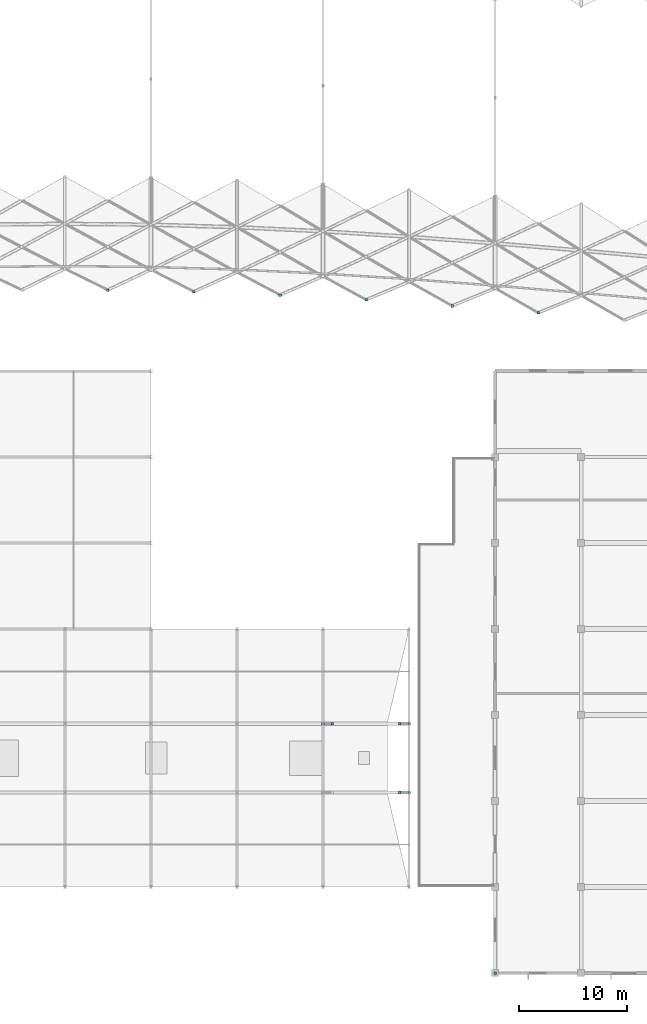
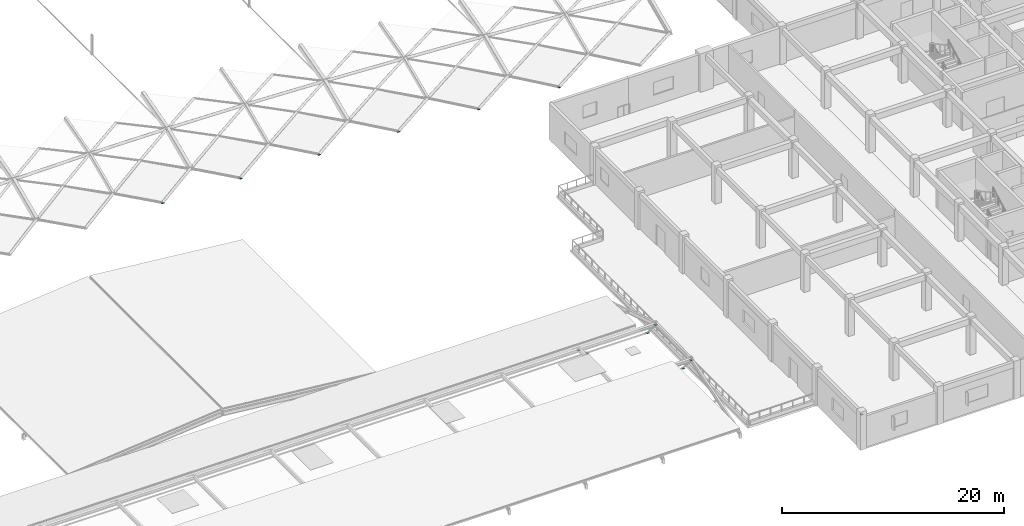
# One storey, part 44 of 54: 13 discrete accessories.
"""IFC4 building model written with IfcOpenShell, lengths in metres."""

from ifc_helpers import new_model, si_unit, direction, frame, origin, origin_2d, place, context, subcontext, project, spatial, rectangle, extrude, material, type_object, element, save


model = new_model("IFC4")

# Units and contexts
model_context = context("Model", 3, precision=1e-05, world=origin(), true_north=direction((0.0, 1.0)))
body_context = subcontext(model_context, "Body", "Model", "MODEL_VIEW")
ifc_project = project(units=[si_unit("LENGTHUNIT", "METRE"), si_unit("AREAUNIT", "SQUARE_METRE"), si_unit("VOLUMEUNIT", "CUBIC_METRE"), si_unit("PLANEANGLEUNIT", "RADIAN"), si_unit("MASSUNIT", "GRAM", prefix="KILO")], contexts=[model_context])

# Site, building, storey
site_placement = place(None, origin())
site = spatial("IfcSite", under=ifc_project, at=site_placement, CompositionType="ELEMENT")
building_placement = place(site_placement, origin())
building = spatial("IfcBuilding", under=site, at=building_placement, Name="Kenh Van Central Station", CompositionType="ELEMENT")
storey_placement = place(building_placement, frame((0.0, 0.0, 15.0)))
storey = spatial("IfcBuildingStorey", under=building, at=storey_placement, Name="L03", CompositionType="ELEMENT", Elevation=15.0)

# Discrete accessories
ifc_material_1 = material(Name="Structural steel S355JR", Category="steel")
discrete_accessory_type_1 = type_object("IfcDiscreteAccessoryType", Name="ACC-END-NODE", PredefinedType="BRACKET", material=ifc_material_1)
for number, where, z_axis, x_axis, name in (
    (1, (119.14990234375, 24.800048828125, 1.665771484375), (0.0, 0.0, 1.0), (1.0, 0.0, 0.0), "L03 brace end connection node plate 0325"),
    (2, (120.0, 24.800048828125, 2.285888671875), (0.0, 0.0, 1.0), (1.0, 0.0, 0.0), "L03 brace end connection node plate 0331"),
    (3, (119.14990234375, 31.199951171875, 1.665771484375), (0.0, 0.0, 1.0), (1.0, 0.0, 0.0), "L03 brace end connection node plate 0333"),
    (4, (112.85009765625, 31.199951171875, 1.665771484375), (0.0, 0.0, 1.0), (1.0, 0.0, 0.0), "L03 brace end connection node plate 0337"),
    (5, (112.0, 31.199951171875, 2.285888671875), (0.0, 0.0, 1.0), (1.0, 0.0, 0.0), "L03 brace end connection node plate 0338"),
    (6, (120.0, 31.199951171875, 2.285888671875), (0.0, 0.0, 1.0), (1.0, 0.0, 0.0), "L03 brace end connection node plate 0339"),
    (7, (128.0, 8.0, 3.684326171875), (0.0, 0.0, 1.0), (1.0, 0.0, 0.0), "L03 brace end connection node plate 0397"),
):
    element("IfcDiscreteAccessory", number, at=place(storey_placement, frame(where, z_axis=z_axis, x_axis=x_axis)), inside=storey, type_object=discrete_accessory_type_1, Name=name, PredefinedType="BRACKET", context=body_context, shape_type="SweptSolid", body=[
        extrude(rectangle(XDim=0.239990234375, YDim=0.239990234375, at=origin_2d()), origin(), (0.0, 0.0, 1.0), 0.02490234375),
    ])
ifc_material_2 = material(Name="White fluoropolymer structural steel S355", Category="steel")
discrete_accessory_type_2 = type_object("IfcDiscreteAccessoryType", Name="ACC-END-NODE-VLT", PredefinedType="BRACKET", material=ifc_material_2)
for number, where, z_axis, x_axis, name in (
    (8, (92.0, 71.50390625, 1.0029296875), (0.0, 0.0, 1.0), (1.0, 0.0, 0.0), "L03 brace end connection node plate 0157"),
    (9, (100.0, 71.344482421875, 1.0029296875), (0.0, 0.0, 1.0), (1.0, 0.0, 0.0), "L03 brace end connection node plate 0178"),
    (10, (108.0, 71.03369140625, 1.0029296875), (0.0, 0.0, 1.0), (1.0, 0.0, 0.0), "L03 brace end connection node plate 0199"),
    (11, (116.0, 70.5869140625, 1.0029296875), (0.0, 0.0, 1.0), (1.0, 0.0, 0.0), "L03 brace end connection node plate 0220"),
    (12, (124.0, 70.026611328125, 1.0029296875), (0.0, 0.0, 1.0), (1.0, 0.0, 0.0), "L03 brace end connection node plate 0241"),
    (13, (132.0, 69.381103515625, 1.0029296875), (0.0, 0.0, 1.0), (1.0, 0.0, 0.0), "L03 brace end connection node plate 0262"),
):
    element("IfcDiscreteAccessory", number, at=place(storey_placement, frame(where, z_axis=z_axis, x_axis=x_axis)), inside=storey, type_object=discrete_accessory_type_2, Name=name, PredefinedType="BRACKET", context=body_context, shape_type="SweptSolid", body=[
        extrude(rectangle(XDim=0.239990234375, YDim=0.239990234375, at=origin_2d()), origin(), (0.0, 0.0, 1.0), 0.02490234375),
    ])

save(model, "model.ifc")
